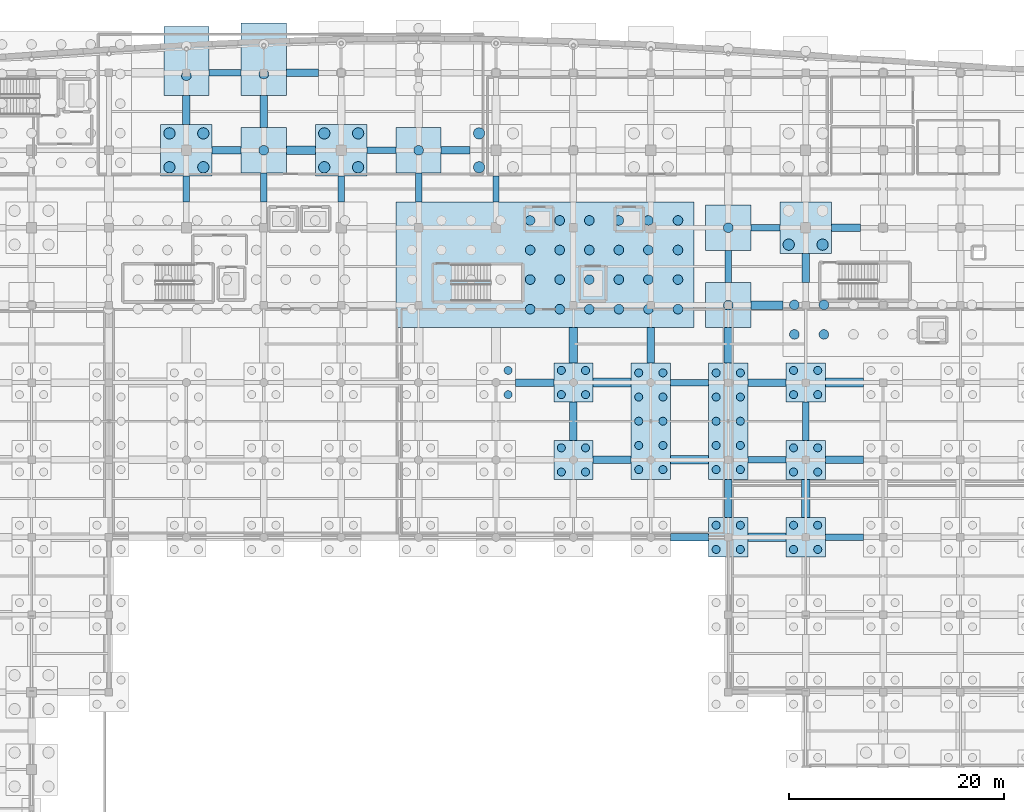
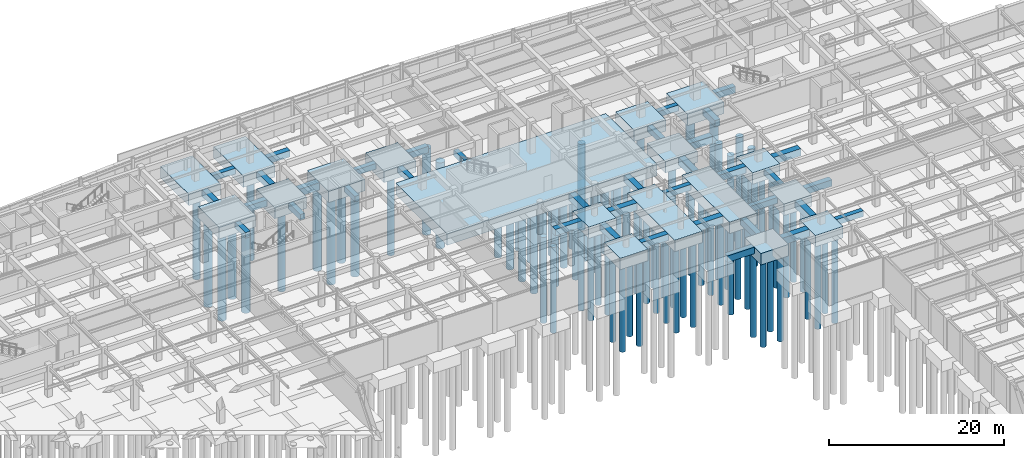
# One storey, part 7 of 48: 92 piles, 55 footings.
"""IFC4 building model written with IfcOpenShell, lengths in metres."""

from ifc_helpers import new_model, si_unit, direction, frame, origin, origin_2d, place, context, subcontext, project, spatial, rectangle, circle, extrude, material, material_profile, profile_set, type_object, element, save


model = new_model("IFC4")

# Units and contexts
model_context = context("Model", 3, precision=1e-05, world=origin(), true_north=direction((0.0, 1.0)))
body_context = subcontext(model_context, "Body", "Model", "MODEL_VIEW")
ifc_project = project(units=[si_unit("LENGTHUNIT", "METRE"), si_unit("AREAUNIT", "SQUARE_METRE"), si_unit("VOLUMEUNIT", "CUBIC_METRE"), si_unit("PLANEANGLEUNIT", "RADIAN"), si_unit("MASSUNIT", "GRAM", prefix="KILO")], contexts=[model_context])

# Site, building, storey
site_placement = place(None, origin())
site = spatial("IfcSite", under=ifc_project, at=site_placement, CompositionType="ELEMENT")
building_placement = place(site_placement, origin())
building = spatial("IfcBuilding", under=site, at=building_placement, Name="Carrowvane Square Congress Hotel", CompositionType="ELEMENT")
storey_placement = place(building_placement, frame((0.0, 0.0, -4.5)))
storey = spatial("IfcBuildingStorey", under=building, at=storey_placement, Name="B01", CompositionType="ELEMENT", Elevation=-4.5)

# Footings
ifc_material_1 = material(Name="Concrete C35/45", Category="concrete")
ifc_material_profile_1 = material_profile(ifc_material_1, rectangle(XDim=0.60009765625, YDim=0.800048828125, at=origin_2d()), Name="RC 600x800")
ifc_profile_set_1 = profile_set([ifc_material_profile_1], Name="Concrete C35/45")
footing_type_1 = type_object("IfcFootingType", Name="FTG-BM-600x800", PredefinedType="FOOTING_BEAM", material=ifc_profile_set_1)
footing_1_placement = place(storey_placement, frame((76.39990234375, 101.39990234375, -0.39990234375), z_axis=(0.0, 1.0, 0.0), x_axis=(-1.0, 0.0, 0.0)))
element("IfcFooting", 1, at=footing_1_placement, inside=storey, type_object=footing_type_1, Name="Ground tie beam 109", PredefinedType="FOOTING_BEAM", context=body_context, shape_type="SweptSolid", body=[
    extrude(rectangle(XDim=0.60009765625, YDim=0.800048828125, at=origin_2d()), origin(), (0.0, 0.0, 1.0), 2.400146484375),
])
footing_2_placement = place(storey_placement, frame((83.60009765625, 101.39990234375, -0.39990234375), z_axis=(0.0, 1.0, 0.0), x_axis=(-1.0, 0.0, 0.0)))
element("IfcFooting", 2, at=footing_2_placement, inside=storey, type_object=footing_type_1, Name="Ground tie beam 114", PredefinedType="FOOTING_BEAM", context=body_context, shape_type="SweptSolid", body=[
    extrude(rectangle(XDim=0.60009765625, YDim=0.800048828125, at=origin_2d()), origin(), (0.0, 0.0, 1.0), 2.7001953125),
])
footing_3_placement = place(storey_placement, frame((90.800048828125, 101.39990234375, -0.39990234375), z_axis=(0.0, 1.0, 0.0), x_axis=(-1.0, 0.0, 0.0)))
element("IfcFooting", 3, at=footing_3_placement, inside=storey, type_object=footing_type_1, Name="Ground tie beam 119", PredefinedType="FOOTING_BEAM", context=body_context, shape_type="SweptSolid", body=[
    extrude(rectangle(XDim=0.60009765625, YDim=0.800048828125, at=origin_2d()), origin(), (0.0, 0.0, 1.0), 2.400146484375),
])
footing_4_placement = place(storey_placement, frame((98.0, 101.39990234375, -0.39990234375), z_axis=(0.0, 1.0, 0.0), x_axis=(-1.0, 0.0, 0.0)))
element("IfcFooting", 4, at=footing_4_placement, inside=storey, type_object=footing_type_1, Name="Ground tie beam 124", PredefinedType="FOOTING_BEAM", context=body_context, shape_type="SweptSolid", body=[
    extrude(rectangle(XDim=0.60009765625, YDim=0.800048828125, at=origin_2d()), origin(), (0.0, 0.0, 1.0), 2.7001953125),
])
footing_5_placement = place(storey_placement, frame((105.199951171875, 101.39990234375, -0.39990234375), z_axis=(0.0, 1.0, 0.0), x_axis=(-1.0, 0.0, 0.0)))
element("IfcFooting", 5, at=footing_5_placement, inside=storey, type_object=footing_type_1, Name="Ground tie beam 129", PredefinedType="FOOTING_BEAM", context=body_context, shape_type="SweptSolid", body=[
    extrude(rectangle(XDim=0.60009765625, YDim=0.800048828125, at=origin_2d()), origin(), (0.0, 0.0, 1.0), 2.400146484375),
])
footing_6_placement = place(storey_placement, frame((126.800048828125, 93.89990234375, -0.39990234375), z_axis=(0.0, 1.0, 0.0), x_axis=(-1.0, 0.0, 0.0)))
element("IfcFooting", 6, at=footing_6_placement, inside=storey, type_object=footing_type_1, Name="Ground tie beam 144", PredefinedType="FOOTING_BEAM", context=body_context, shape_type="SweptSolid", body=[
    extrude(rectangle(XDim=0.60009765625, YDim=0.800048828125, at=origin_2d()), origin(), (0.0, 0.0, 1.0), 3.0),
])
footing_7_placement = place(storey_placement, frame((134.0, 79.22509765625, -0.39990234375), z_axis=(0.0, 1.0, 0.0), x_axis=(-1.0, 0.0, 0.0)))
element("IfcFooting", 7, at=footing_7_placement, inside=storey, type_object=footing_type_1, Name="Ground tie beam 152", PredefinedType="FOOTING_BEAM", context=body_context, shape_type="SweptSolid", body=[
    extrude(rectangle(XDim=0.60009765625, YDim=0.800048828125, at=origin_2d()), origin(), (0.0, 0.0, 1.0), 3.5498046875),
])
for number, where, z_axis, x_axis, name in (
    (8, (135.824951171875, 70.199951171875, -0.39990234375), (1.0, 0.0, 0.0), (0.0, 1.0, 0.0), "Ground tie beam 385"),
    (9, (128.625, 77.39990234375, -0.39990234375), (1.0, 0.0, 0.0), (0.0, 1.0, 0.0), "Ground tie beam 408"),
    (10, (121.425048828125, 84.60009765625, -0.39990234375), (1.0, 0.0, 0.0), (0.0, 1.0, 0.0), "Ground tie beam 431"),
):
    element("IfcFooting", number, at=place(storey_placement, frame(where, z_axis=z_axis, x_axis=x_axis)), inside=storey, type_object=footing_type_1, Name=name, PredefinedType="FOOTING_BEAM", context=body_context, shape_type="SweptSolid", body=[
        extrude(rectangle(XDim=0.60009765625, YDim=0.800048828125, at=origin_2d()), origin(), (0.0, 0.0, 1.0), 3.550048828125),
    ])
footing_8_placement = place(storey_placement, frame((128.89990234375, 99.0, -0.39990234375), z_axis=(1.0, 0.0, 0.0), x_axis=(0.0, 1.0, 0.0)))
element("IfcFooting", 11, at=footing_8_placement, inside=storey, type_object=footing_type_1, Name="Ground tie beam 459", PredefinedType="FOOTING_BEAM", context=body_context, shape_type="SweptSolid", body=[
    extrude(rectangle(XDim=0.60009765625, YDim=0.800048828125, at=origin_2d()), origin(), (0.0, 0.0, 1.0), 2.7001953125),
])
footing_9_placement = place(storey_placement, frame((93.199951171875, 106.199951171875, -0.39990234375), z_axis=(1.0, 0.0, 0.0), x_axis=(0.0, 1.0, 0.0)))
element("IfcFooting", 12, at=footing_9_placement, inside=storey, type_object=footing_type_1, Name="Ground tie beam 470", PredefinedType="FOOTING_BEAM", context=body_context, shape_type="SweptSolid", body=[
    extrude(rectangle(XDim=0.60009765625, YDim=0.800048828125, at=origin_2d()), origin(), (0.0, 0.0, 1.0), 2.699951171875),
])
footing_10_placement = place(storey_placement, frame((78.5, 113.39990234375, -0.39990234375), z_axis=(1.0, 0.0, 0.0), x_axis=(0.0, 1.0, 0.0)))
element("IfcFooting", 13, at=footing_10_placement, inside=storey, type_object=footing_type_1, Name="Ground tie beam 484", PredefinedType="FOOTING_BEAM", context=body_context, shape_type="SweptSolid", body=[
    extrude(rectangle(XDim=0.60009765625, YDim=0.800048828125, at=origin_2d()), origin(), (0.0, 0.0, 1.0), 3.0),
])
ifc_material_2 = material(Name="Concrete C35/45", Category="concrete")
ifc_material_profile_2 = material_profile(ifc_material_2, rectangle(XDim=0.699951171875, YDim=0.89990234375, at=origin_2d()), Name="RC 700x900")
ifc_profile_set_2 = profile_set([ifc_material_profile_2], Name="Concrete C35/45")
footing_type_2 = type_object("IfcFootingType", Name="FTG-BM-700x900", PredefinedType="FOOTING_BEAM", material=ifc_profile_set_2)
footing_11_placement = place(storey_placement, frame((76.39990234375, 108.60009765625, -0.449951171875), z_axis=(0.0, 1.0, 0.0), x_axis=(-1.0, 0.0, 0.0)))
element("IfcFooting", 14, at=footing_11_placement, inside=storey, type_object=footing_type_2, Name="Ground tie beam 110", PredefinedType="FOOTING_BEAM", context=body_context, shape_type="SweptSolid", body=[
    extrude(rectangle(XDim=0.699951171875, YDim=0.89990234375, at=origin_2d()), origin(), (0.0, 0.0, 1.0), 2.699951171875),
])
footing_12_placement = place(storey_placement, frame((83.60009765625, 108.300048828125, -0.449951171875), z_axis=(0.0, 1.0, 0.0), x_axis=(-1.0, 0.0, 0.0)))
element("IfcFooting", 15, at=footing_12_placement, inside=storey, type_object=footing_type_2, Name="Ground tie beam 115", PredefinedType="FOOTING_BEAM", context=body_context, shape_type="SweptSolid", body=[
    extrude(rectangle(XDim=0.699951171875, YDim=0.89990234375, at=origin_2d()), origin(), (0.0, 0.0, 1.0), 3.0),
])
footing_13_placement = place(storey_placement, frame((112.39990234375, 79.22509765625, -0.449951171875), z_axis=(0.0, 1.0, 0.0), x_axis=(-1.0, 0.0, 0.0)))
element("IfcFooting", 16, at=footing_13_placement, inside=storey, type_object=footing_type_2, Name="Ground tie beam 132", PredefinedType="FOOTING_BEAM", context=body_context, shape_type="SweptSolid", body=[
    extrude(rectangle(XDim=0.699951171875, YDim=0.89990234375, at=origin_2d()), origin(), (0.0, 0.0, 1.0), 3.5498046875),
])
footing_14_placement = place(storey_placement, frame((119.60009765625, 86.425048828125, -0.449951171875), z_axis=(0.0, 1.0, 0.0), x_axis=(-1.0, 0.0, 0.0)))
element("IfcFooting", 17, at=footing_14_placement, inside=storey, type_object=footing_type_2, Name="Ground tie beam 137", PredefinedType="FOOTING_BEAM", context=body_context, shape_type="SweptSolid", body=[
    extrude(rectangle(XDim=0.699951171875, YDim=0.89990234375, at=origin_2d()), origin(), (0.0, 0.0, 1.0), 3.27490234375),
])
footing_15_placement = place(storey_placement, frame((126.800048828125, 72.02490234375, -0.449951171875), z_axis=(0.0, 1.0, 0.0), x_axis=(-1.0, 0.0, 0.0)))
element("IfcFooting", 18, at=footing_15_placement, inside=storey, type_object=footing_type_2, Name="Ground tie beam 142", PredefinedType="FOOTING_BEAM", context=body_context, shape_type="SweptSolid", body=[
    extrude(rectangle(XDim=0.699951171875, YDim=0.89990234375, at=origin_2d()), origin(), (0.0, 0.0, 1.0), 3.550048828125),
])
footing_16_placement = place(storey_placement, frame((134.0, 93.89990234375, -0.449951171875), z_axis=(0.0, 1.0, 0.0), x_axis=(-1.0, 0.0, 0.0)))
element("IfcFooting", 19, at=footing_16_placement, inside=storey, type_object=footing_type_2, Name="Ground tie beam 153", PredefinedType="FOOTING_BEAM", context=body_context, shape_type="SweptSolid", body=[
    extrude(rectangle(XDim=0.699951171875, YDim=0.89990234375, at=origin_2d()), origin(), (0.0, 0.0, 1.0), 2.7001953125),
])
footing_17_placement = place(storey_placement, frame((121.425048828125, 70.199951171875, -0.449951171875), z_axis=(1.0, 0.0, 0.0), x_axis=(0.0, 1.0, 0.0)))
element("IfcFooting", 20, at=footing_17_placement, inside=storey, type_object=footing_type_2, Name="Ground tie beam 383", PredefinedType="FOOTING_BEAM", context=body_context, shape_type="SweptSolid", body=[
    extrude(rectangle(XDim=0.699951171875, YDim=0.89990234375, at=origin_2d()), origin(), (0.0, 0.0, 1.0), 3.550048828125),
])
footing_18_placement = place(storey_placement, frame((114.22509765625, 77.39990234375, -0.449951171875), z_axis=(1.0, 0.0, 0.0), x_axis=(0.0, 1.0, 0.0)))
element("IfcFooting", 21, at=footing_18_placement, inside=storey, type_object=footing_type_2, Name="Ground tie beam 406", PredefinedType="FOOTING_BEAM", context=body_context, shape_type="SweptSolid", body=[
    extrude(rectangle(XDim=0.699951171875, YDim=0.89990234375, at=origin_2d()), origin(), (0.0, 0.0, 1.0), 3.5498046875),
])
for number, where, z_axis, x_axis, name in (
    (22, (135.824951171875, 77.39990234375, -0.449951171875), (1.0, 0.0, 0.0), (0.0, 1.0, 0.0), "Ground tie beam 409"),
    (23, (107.02490234375, 84.60009765625, -0.449951171875), (1.0, 0.0, 0.0), (0.0, 1.0, 0.0), "Ground tie beam 429"),
    (24, (128.625, 84.60009765625, -0.449951171875), (1.0, 0.0, 0.0), (0.0, 1.0, 0.0), "Ground tie beam 432"),
):
    element("IfcFooting", number, at=place(storey_placement, frame(where, z_axis=z_axis, x_axis=x_axis)), inside=storey, type_object=footing_type_2, Name=name, PredefinedType="FOOTING_BEAM", context=body_context, shape_type="SweptSolid", body=[
        extrude(rectangle(XDim=0.699951171875, YDim=0.89990234375, at=origin_2d()), origin(), (0.0, 0.0, 1.0), 3.550048828125),
    ])
footing_19_placement = place(storey_placement, frame((136.39990234375, 99.0, -0.449951171875), z_axis=(1.0, 0.0, 0.0), x_axis=(0.0, 1.0, 0.0)))
element("IfcFooting", 25, at=footing_19_placement, inside=storey, type_object=footing_type_2, Name="Ground tie beam 460", PredefinedType="FOOTING_BEAM", context=body_context, shape_type="SweptSolid", body=[
    extrude(rectangle(XDim=0.699951171875, YDim=0.89990234375, at=origin_2d()), origin(), (0.0, 0.0, 1.0), 2.7001953125),
])
for number, where, z_axis, x_axis, name in (
    (26, (78.800048828125, 106.199951171875, -0.449951171875), (1.0, 0.0, 0.0), (0.0, 1.0, 0.0), "Ground tie beam 468"),
    (27, (100.10009765625, 106.199951171875, -0.449951171875), (1.0, 0.0, 0.0), (0.0, 1.0, 0.0), "Ground tie beam 471"),
):
    element("IfcFooting", number, at=place(storey_placement, frame(where, z_axis=z_axis, x_axis=x_axis)), inside=storey, type_object=footing_type_2, Name=name, PredefinedType="FOOTING_BEAM", context=body_context, shape_type="SweptSolid", body=[
        extrude(rectangle(XDim=0.699951171875, YDim=0.89990234375, at=origin_2d()), origin(), (0.0, 0.0, 1.0), 2.699951171875),
    ])
footing_20_placement = place(storey_placement, frame((85.699951171875, 113.39990234375, -0.449951171875), z_axis=(1.0, 0.0, 0.0), x_axis=(0.0, 1.0, 0.0)))
element("IfcFooting", 28, at=footing_20_placement, inside=storey, type_object=footing_type_2, Name="Ground tie beam 485", PredefinedType="FOOTING_BEAM", context=body_context, shape_type="SweptSolid", body=[
    extrude(rectangle(XDim=0.699951171875, YDim=0.89990234375, at=origin_2d()), origin(), (0.0, 0.0, 1.0), 3.0),
])
ifc_material_3 = material(Name="Concrete C35/45", Category="concrete")
ifc_material_profile_3 = material_profile(ifc_material_3, rectangle(XDim=0.800048828125, YDim=1.0, at=origin_2d()), Name="RC 800x1000")
ifc_profile_set_3 = profile_set([ifc_material_profile_3], Name="Concrete C35/45")
footing_type_3 = type_object("IfcFootingType", Name="FTG-BM-800x1000", PredefinedType="FOOTING_BEAM", material=ifc_profile_set_3)
for number, where, z_axis, x_axis, name in (
    (29, (112.39990234375, 86.425048828125, -0.5), (0.0, 1.0, 0.0), (-1.0, 0.0, 0.0), "Ground tie beam 133"),
    (30, (126.800048828125, 86.425048828125, -0.5), (0.0, 1.0, 0.0), (-1.0, 0.0, 0.0), "Ground tie beam 143"),
):
    element("IfcFooting", number, at=place(storey_placement, frame(where, z_axis=z_axis, x_axis=x_axis)), inside=storey, type_object=footing_type_3, Name=name, PredefinedType="FOOTING_BEAM", context=body_context, shape_type="SweptSolid", body=[
        extrude(rectangle(XDim=0.800048828125, YDim=1.0, at=origin_2d()), origin(), (0.0, 0.0, 1.0), 3.27490234375),
    ])
for number, where, z_axis, x_axis, name in (
    (31, (134.0, 72.02490234375, -0.5), (0.0, 1.0, 0.0), (-1.0, 0.0, 0.0), "Ground tie beam 151"),
    (32, (128.625, 70.199951171875, -0.5), (1.0, 0.0, 0.0), (0.0, 1.0, 0.0), "Ground tie beam 384"),
    (33, (121.425048828125, 77.39990234375, -0.5), (1.0, 0.0, 0.0), (0.0, 1.0, 0.0), "Ground tie beam 407"),
):
    element("IfcFooting", number, at=place(storey_placement, frame(where, z_axis=z_axis, x_axis=x_axis)), inside=storey, type_object=footing_type_3, Name=name, PredefinedType="FOOTING_BEAM", context=body_context, shape_type="SweptSolid", body=[
        extrude(rectangle(XDim=0.800048828125, YDim=1.0, at=origin_2d()), origin(), (0.0, 0.0, 1.0), 3.550048828125),
    ])
footing_21_placement = place(storey_placement, frame((114.22509765625, 84.60009765625, -0.5), z_axis=(1.0, 0.0, 0.0), x_axis=(0.0, 1.0, 0.0)))
element("IfcFooting", 34, at=footing_21_placement, inside=storey, type_object=footing_type_3, Name="Ground tie beam 430", PredefinedType="FOOTING_BEAM", context=body_context, shape_type="SweptSolid", body=[
    extrude(rectangle(XDim=0.800048828125, YDim=1.0, at=origin_2d()), origin(), (0.0, 0.0, 1.0), 3.5498046875),
])
footing_22_placement = place(storey_placement, frame((135.824951171875, 84.60009765625, -0.5), z_axis=(1.0, 0.0, 0.0), x_axis=(0.0, 1.0, 0.0)))
element("IfcFooting", 35, at=footing_22_placement, inside=storey, type_object=footing_type_3, Name="Ground tie beam 433", PredefinedType="FOOTING_BEAM", context=body_context, shape_type="SweptSolid", body=[
    extrude(rectangle(XDim=0.800048828125, YDim=1.0, at=origin_2d()), origin(), (0.0, 0.0, 1.0), 3.550048828125),
])
footing_23_placement = place(storey_placement, frame((128.89990234375, 91.800048828125, -0.5), z_axis=(1.0, 0.0, 0.0), x_axis=(0.0, 1.0, 0.0)))
element("IfcFooting", 36, at=footing_23_placement, inside=storey, type_object=footing_type_3, Name="Ground tie beam 447", PredefinedType="FOOTING_BEAM", context=body_context, shape_type="SweptSolid", body=[
    extrude(rectangle(XDim=0.800048828125, YDim=1.0, at=origin_2d()), origin(), (0.0, 0.0, 1.0), 3.0),
])
footing_24_placement = place(storey_placement, frame((85.699951171875, 106.199951171875, -0.5), z_axis=(1.0, 0.0, 0.0), x_axis=(0.0, 1.0, 0.0)))
element("IfcFooting", 37, at=footing_24_placement, inside=storey, type_object=footing_type_3, Name="Ground tie beam 469", PredefinedType="FOOTING_BEAM", context=body_context, shape_type="SweptSolid", body=[
    extrude(rectangle(XDim=0.800048828125, YDim=1.0, at=origin_2d()), origin(), (0.0, 0.0, 1.0), 2.699951171875),
])
ifc_material_4 = material(Name="Concrete C35/45", Category="concrete")
footing_type_4 = type_object("IfcFootingType", Name="FTG-PC-01", PredefinedType="PILE_CAP", material=ifc_material_4)
for number, where, z_axis, x_axis, name in (
    (38, (134.0, 99.0, -1.60009765625), (0.0, 0.0, 1.0), (1.0, 0.0, 0.0), "B01 PC-1 231"),
    (39, (76.39990234375, 106.199951171875, -1.60009765625), (0.0, 0.0, 1.0), (1.0, 0.0, 0.0), "B01 PC-1 242"),
    (40, (90.800048828125, 106.199951171875, -1.60009765625), (0.0, 0.0, 1.0), (1.0, 0.0, 0.0), "B01 PC-1 243"),
):
    element("IfcFooting", number, at=place(storey_placement, frame(where, z_axis=z_axis, x_axis=x_axis)), inside=storey, type_object=footing_type_4, Name=name, PredefinedType="PILE_CAP", context=body_context, shape_type="SweptSolid", body=[
        extrude(rectangle(XDim=4.800048828125, YDim=4.800048828125, at=origin_2d()), origin(), (0.0, 0.0, 1.0), 1.60009765625),
    ])
ifc_material_5 = material(Name="Concrete C35/45", Category="concrete")
footing_type_5 = type_object("IfcFootingType", Name="FTG-PC-02", PredefinedType="PILE_CAP", material=ifc_material_5)
for number, where, z_axis, x_axis, name in (
    (41, (126.800048828125, 70.199951171875, -1.60009765625), (0.0, 0.0, 1.0), (1.0, 0.0, 0.0), "B01 PC-2 160"),
    (42, (134.0, 70.199951171875, -1.60009765625), (0.0, 0.0, 1.0), (1.0, 0.0, 0.0), "B01 PC-2 161"),
    (43, (112.39990234375, 77.39990234375, -1.60009765625), (0.0, 0.0, 1.0), (1.0, 0.0, 0.0), "B01 PC-2 183"),
    (44, (134.0, 77.39990234375, -1.60009765625), (0.0, 0.0, 1.0), (1.0, 0.0, 0.0), "B01 PC-2 186"),
    (45, (112.39990234375, 84.60009765625, -1.60009765625), (0.0, 0.0, 1.0), (1.0, 0.0, 0.0), "B01 PC-2 206"),
    (46, (134.0, 84.60009765625, -1.60009765625), (0.0, 0.0, 1.0), (1.0, 0.0, 0.0), "B01 PC-2 207"),
):
    element("IfcFooting", number, at=place(storey_placement, frame(where, z_axis=z_axis, x_axis=x_axis)), inside=storey, type_object=footing_type_5, Name=name, PredefinedType="PILE_CAP", context=body_context, shape_type="SweptSolid", body=[
        extrude(rectangle(XDim=3.64990234375, YDim=3.64990234375, at=origin_2d()), origin(), (0.0, 0.0, 1.0), 1.60009765625),
    ])
ifc_material_6 = material(Name="Concrete C35/45", Category="concrete")
footing_type_6 = type_object("IfcFootingType", Name="FTG-PC-03", PredefinedType="PILE_CAP", material=ifc_material_6)
for number, where, z_axis, x_axis, name in (
    (47, (119.60009765625, 81.0, -1.60009765625), (0.0, 0.0, 1.0), (1.0, 0.0, 0.0), "B01 PC-3 184"),
    (48, (126.800048828125, 81.0, -1.60009765625), (0.0, 0.0, 1.0), (1.0, 0.0, 0.0), "B01 PC-3 185"),
):
    element("IfcFooting", number, at=place(storey_placement, frame(where, z_axis=z_axis, x_axis=x_axis)), inside=storey, type_object=footing_type_6, Name=name, PredefinedType="PILE_CAP", context=body_context, shape_type="SweptSolid", body=[
        extrude(rectangle(XDim=3.64990234375, YDim=10.85009765625, at=origin_2d()), origin(), (0.0, 0.0, 1.0), 1.60009765625),
    ])
ifc_material_7 = material(Name="Concrete C35/45", Category="concrete")
footing_type_7 = type_object("IfcFootingType", Name="FTG-PC-04", PredefinedType="PILE_CAP", material=ifc_material_7)
for number, where, z_axis, x_axis, name in (
    (49, (126.800048828125, 91.800048828125, -1.60009765625), (0.0, 0.0, 1.0), (1.0, 0.0, 0.0), "B01 PC-4 221"),
    (50, (126.800048828125, 99.0, -1.60009765625), (0.0, 0.0, 1.0), (1.0, 0.0, 0.0), "B01 PC-4 236"),
    (51, (83.60009765625, 106.199951171875, -1.60009765625), (0.0, 0.0, 1.0), (1.0, 0.0, 0.0), "B01 PC-4 250"),
    (52, (98.0, 106.199951171875, -1.60009765625), (0.0, 0.0, 1.0), (1.0, 0.0, 0.0), "B01 PC-4 251"),
):
    element("IfcFooting", number, at=place(storey_placement, frame(where, z_axis=z_axis, x_axis=x_axis)), inside=storey, type_object=footing_type_7, Name=name, PredefinedType="PILE_CAP", context=body_context, shape_type="SweptSolid", body=[
        extrude(rectangle(XDim=4.199951171875, YDim=4.199951171875, at=origin_2d()), origin(), (0.0, 0.0, 1.0), 1.60009765625),
    ])
ifc_material_8 = material(Name="Concrete C35/45", Category="concrete")
footing_type_8 = type_object("IfcFootingType", Name="FTG-PC-05", PredefinedType="PILE_CAP", material=ifc_material_8)
footing_25_placement = place(storey_placement, frame((76.39990234375, 114.5087890625, -1.60009765625), z_axis=(0.0, 0.0, 1.0), x_axis=(1.0, 0.0, 0.0)))
element("IfcFooting", 53, at=footing_25_placement, inside=storey, type_object=footing_type_8, Name="B01 PC-5 261", PredefinedType="PILE_CAP", context=body_context, shape_type="SweptSolid", body=[
    extrude(rectangle(XDim=4.199951171875, YDim=6.41796875, at=origin_2d()), origin(), (0.0, 0.0, 1.0), 1.60009765625),
])
ifc_material_9 = material(Name="Concrete C35/45", Category="concrete")
footing_type_9 = type_object("IfcFootingType", Name="FTG-PC-06", PredefinedType="PILE_CAP", material=ifc_material_9)
footing_26_placement = place(storey_placement, frame((83.60009765625, 114.672119140625, -1.60009765625), z_axis=(0.0, 0.0, 1.0), x_axis=(1.0, 0.0, 0.0)))
element("IfcFooting", 54, at=footing_26_placement, inside=storey, type_object=footing_type_9, Name="B01 PC-6 262", PredefinedType="PILE_CAP", context=body_context, shape_type="SweptSolid", body=[
    extrude(rectangle(XDim=4.199951171875, YDim=6.743896484375, at=origin_2d()), origin(), (0.0, 0.0, 1.0), 1.60009765625),
])
ifc_material_10 = material(Name="Concrete C35/45", Category="concrete")
footing_type_10 = type_object("IfcFootingType", Name="FTG-RAFT-04", PredefinedType="PILE_CAP", material=ifc_material_10)
footing_27_placement = place(storey_placement, frame((109.75, 95.550048828125, -1.60009765625), z_axis=(0.0, 0.0, 1.0), x_axis=(1.0, 0.0, 0.0)))
element("IfcFooting", 55, at=footing_27_placement, inside=storey, type_object=footing_type_10, Name="B01 RF-4 220", PredefinedType="PILE_CAP", context=body_context, shape_type="SweptSolid", body=[
    extrude(rectangle(XDim=27.699951171875, YDim=11.699951171875, at=origin_2d()), origin(), (0.0, 0.0, 1.0), 1.60009765625),
])

# Piles
ifc_material_11 = material(Name="Concrete C35/45", Category="concrete")
ifc_material_profile_4 = material_profile(ifc_material_11, circle(Radius=0.52490234375, at=origin_2d()), Name="PILE D1050")
ifc_profile_set_4 = profile_set([ifc_material_profile_4], Name="Concrete C35/45")
pile_type_1 = type_object("IfcPileType", Name="PILE-B-1050", PredefinedType="BORED", material=ifc_profile_set_4)
for number, where, z_axis, x_axis, name in (
    (56, (132.425048828125, 97.425048828125, -1.5), (0.0, 0.0, -1.0), (1.0, 0.0, 0.0), "Bored pile P-3-1054"),
    (57, (135.574951171875, 97.425048828125, -1.5), (0.0, 0.0, -1.0), (1.0, 0.0, 0.0), "Bored pile P-3-1056"),
    (58, (74.824951171875, 104.625, -1.5), (0.0, 0.0, -1.0), (1.0, 0.0, 0.0), "Bored pile P-3-1102"),
    (59, (74.824951171875, 107.77490234375, -1.5), (0.0, 0.0, -1.0), (1.0, 0.0, 0.0), "Bored pile P-3-1103"),
    (60, (77.97509765625, 104.625, -1.5), (0.0, 0.0, -1.0), (1.0, 0.0, 0.0), "Bored pile P-3-1104"),
    (61, (77.97509765625, 107.77490234375, -1.5), (0.0, 0.0, -1.0), (1.0, 0.0, 0.0), "Bored pile P-3-1105"),
    (62, (89.22509765625, 104.625, -1.5), (0.0, 0.0, -1.0), (1.0, 0.0, 0.0), "Bored pile P-3-1106"),
    (63, (89.22509765625, 107.77490234375, -1.5), (0.0, 0.0, -1.0), (1.0, 0.0, 0.0), "Bored pile P-3-1107"),
    (64, (92.375, 104.625, -1.5), (0.0, 0.0, -1.0), (1.0, 0.0, 0.0), "Bored pile P-3-1108"),
    (65, (92.375, 107.77490234375, -1.5), (0.0, 0.0, -1.0), (1.0, 0.0, 0.0), "Bored pile P-3-1109"),
    (66, (103.625, 104.625, -1.5), (0.0, 0.0, -1.0), (1.0, 0.0, 0.0), "Bored pile P-3-1110"),
    (67, (103.625, 107.77490234375, -1.5), (0.0, 0.0, -1.0), (1.0, 0.0, 0.0), "Bored pile P-3-1111"),
):
    element("IfcPile", number, at=place(storey_placement, frame(where, z_axis=z_axis, x_axis=x_axis)), inside=storey, type_object=pile_type_1, Name=name, PredefinedType="BORED", context=body_context, shape_type="SweptSolid", body=[
        extrude(circle(Radius=0.52490234375, at=origin_2d()), origin(), (0.0, 0.0, 1.0), 12.0),
    ])
ifc_material_12 = material(Name="Concrete C35/45", Category="concrete")
ifc_material_profile_5 = material_profile(ifc_material_12, circle(Radius=0.375, at=origin_2d()), Name="PILE D750")
ifc_profile_set_5 = profile_set([ifc_material_profile_5], Name="Concrete C35/45")
pile_type_2 = type_object("IfcPileType", Name="PILE-B-750", PredefinedType="BORED", material=ifc_profile_set_5)
for number, where, z_axis, x_axis, name in (
    (68, (125.675048828125, 69.074951171875, -1.5), (0.0, 0.0, -1.0), (1.0, 0.0, 0.0), "Bored pile P-1-0673"),
    (69, (125.675048828125, 71.324951171875, -1.5), (0.0, 0.0, -1.0), (1.0, 0.0, 0.0), "Bored pile P-1-0674"),
    (70, (127.925048828125, 69.074951171875, -1.5), (0.0, 0.0, -1.0), (1.0, 0.0, 0.0), "Bored pile P-1-0675"),
    (71, (127.925048828125, 71.324951171875, -1.5), (0.0, 0.0, -1.0), (1.0, 0.0, 0.0), "Bored pile P-1-0676"),
    (72, (132.875, 69.074951171875, -1.5), (0.0, 0.0, -1.0), (1.0, 0.0, 0.0), "Bored pile P-1-0677"),
    (73, (132.875, 71.324951171875, -1.5), (0.0, 0.0, -1.0), (1.0, 0.0, 0.0), "Bored pile P-1-0678"),
    (74, (135.125, 69.074951171875, -1.5), (0.0, 0.0, -1.0), (1.0, 0.0, 0.0), "Bored pile P-1-0679"),
    (75, (135.125, 71.324951171875, -1.5), (0.0, 0.0, -1.0), (1.0, 0.0, 0.0), "Bored pile P-1-0680"),
    (76, (111.27490234375, 76.27490234375, -1.5), (0.0, 0.0, -1.0), (1.0, 0.0, 0.0), "Bored pile P-1-0777"),
    (77, (111.27490234375, 78.52490234375, -1.5), (0.0, 0.0, -1.0), (1.0, 0.0, 0.0), "Bored pile P-1-0778"),
    (78, (113.52490234375, 76.27490234375, -1.5), (0.0, 0.0, -1.0), (1.0, 0.0, 0.0), "Bored pile P-1-0779"),
    (79, (113.52490234375, 78.52490234375, -1.5), (0.0, 0.0, -1.0), (1.0, 0.0, 0.0), "Bored pile P-1-0780"),
    (80, (118.47509765625, 76.5, -1.5), (0.0, 0.0, -1.0), (1.0, 0.0, 0.0), "Bored pile P-1-0781"),
    (81, (118.47509765625, 78.75, -1.5), (0.0, 0.0, -1.0), (1.0, 0.0, 0.0), "Bored pile P-1-0782"),
    (82, (118.47509765625, 81.0, -1.5), (0.0, 0.0, -1.0), (1.0, 0.0, 0.0), "Bored pile P-1-0783"),
    (83, (118.47509765625, 83.25, -1.5), (0.0, 0.0, -1.0), (1.0, 0.0, 0.0), "Bored pile P-1-0784"),
    (84, (118.47509765625, 85.5, -1.5), (0.0, 0.0, -1.0), (1.0, 0.0, 0.0), "Bored pile P-1-0785"),
    (85, (120.72509765625, 76.5, -1.5), (0.0, 0.0, -1.0), (1.0, 0.0, 0.0), "Bored pile P-1-0786"),
    (86, (120.72509765625, 78.75, -1.5), (0.0, 0.0, -1.0), (1.0, 0.0, 0.0), "Bored pile P-1-0787"),
    (87, (120.72509765625, 81.0, -1.5), (0.0, 0.0, -1.0), (1.0, 0.0, 0.0), "Bored pile P-1-0788"),
    (88, (120.72509765625, 83.25, -1.5), (0.0, 0.0, -1.0), (1.0, 0.0, 0.0), "Bored pile P-1-0789"),
    (89, (120.72509765625, 85.5, -1.5), (0.0, 0.0, -1.0), (1.0, 0.0, 0.0), "Bored pile P-1-0790"),
    (90, (125.675048828125, 76.5, -1.5), (0.0, 0.0, -1.0), (1.0, 0.0, 0.0), "Bored pile P-1-0791"),
    (91, (125.675048828125, 78.75, -1.5), (0.0, 0.0, -1.0), (1.0, 0.0, 0.0), "Bored pile P-1-0792"),
    (92, (125.675048828125, 81.0, -1.5), (0.0, 0.0, -1.0), (1.0, 0.0, 0.0), "Bored pile P-1-0793"),
    (93, (125.675048828125, 83.25, -1.5), (0.0, 0.0, -1.0), (1.0, 0.0, 0.0), "Bored pile P-1-0794"),
    (94, (125.675048828125, 85.5, -1.5), (0.0, 0.0, -1.0), (1.0, 0.0, 0.0), "Bored pile P-1-0795"),
    (95, (127.925048828125, 76.5, -1.5), (0.0, 0.0, -1.0), (1.0, 0.0, 0.0), "Bored pile P-1-0796"),
    (96, (127.925048828125, 78.75, -1.5), (0.0, 0.0, -1.0), (1.0, 0.0, 0.0), "Bored pile P-1-0797"),
    (97, (127.925048828125, 81.0, -1.5), (0.0, 0.0, -1.0), (1.0, 0.0, 0.0), "Bored pile P-1-0798"),
    (98, (127.925048828125, 83.25, -1.5), (0.0, 0.0, -1.0), (1.0, 0.0, 0.0), "Bored pile P-1-0799"),
    (99, (127.925048828125, 85.5, -1.5), (0.0, 0.0, -1.0), (1.0, 0.0, 0.0), "Bored pile P-1-0800"),
    (100, (132.875, 76.27490234375, -1.5), (0.0, 0.0, -1.0), (1.0, 0.0, 0.0), "Bored pile P-1-0801"),
    (101, (132.875, 78.52490234375, -1.5), (0.0, 0.0, -1.0), (1.0, 0.0, 0.0), "Bored pile P-1-0802"),
    (102, (135.125, 76.27490234375, -1.5), (0.0, 0.0, -1.0), (1.0, 0.0, 0.0), "Bored pile P-1-0803"),
    (103, (135.125, 78.52490234375, -1.5), (0.0, 0.0, -1.0), (1.0, 0.0, 0.0), "Bored pile P-1-0804"),
    (104, (106.324951171875, 83.47509765625, -1.5), (0.0, 0.0, -1.0), (1.0, 0.0, 0.0), "Bored pile P-1-0879"),
    (105, (106.324951171875, 85.72509765625, -1.5), (0.0, 0.0, -1.0), (1.0, 0.0, 0.0), "Bored pile P-1-0880"),
    (106, (111.27490234375, 83.47509765625, -1.5), (0.0, 0.0, -1.0), (1.0, 0.0, 0.0), "Bored pile P-1-0881"),
    (107, (111.27490234375, 85.72509765625, -1.5), (0.0, 0.0, -1.0), (1.0, 0.0, 0.0), "Bored pile P-1-0882"),
    (108, (113.52490234375, 83.47509765625, -1.5), (0.0, 0.0, -1.0), (1.0, 0.0, 0.0), "Bored pile P-1-0883"),
    (109, (113.52490234375, 85.72509765625, -1.5), (0.0, 0.0, -1.0), (1.0, 0.0, 0.0), "Bored pile P-1-0884"),
    (110, (132.875, 83.47509765625, -1.5), (0.0, 0.0, -1.0), (1.0, 0.0, 0.0), "Bored pile P-1-0885"),
    (111, (132.875, 85.72509765625, -1.5), (0.0, 0.0, -1.0), (1.0, 0.0, 0.0), "Bored pile P-1-0886"),
    (112, (135.125, 83.47509765625, -1.5), (0.0, 0.0, -1.0), (1.0, 0.0, 0.0), "Bored pile P-1-0887"),
    (113, (135.125, 85.72509765625, -1.5), (0.0, 0.0, -1.0), (1.0, 0.0, 0.0), "Bored pile P-1-0888"),
):
    element("IfcPile", number, at=place(storey_placement, frame(where, z_axis=z_axis, x_axis=x_axis)), inside=storey, type_object=pile_type_2, Name=name, PredefinedType="BORED", context=body_context, shape_type="SweptSolid", body=[
        extrude(circle(Radius=0.375, at=origin_2d()), origin(), (0.0, 0.0, 1.0), 12.0),
    ])
ifc_material_13 = material(Name="Concrete C35/45", Category="concrete")
ifc_material_profile_6 = material_profile(ifc_material_13, circle(Radius=0.449951171875, at=origin_2d()), Name="PILE D900")
ifc_profile_set_6 = profile_set([ifc_material_profile_6], Name="Concrete C35/45")
pile_type_3 = type_object("IfcPileType", Name="PILE-B-900", PredefinedType="BORED", material=ifc_profile_set_6)
for number, where, z_axis, x_axis, name in (
    (114, (132.949951171875, 89.074951171875, -1.5), (0.0, 0.0, -1.0), (1.0, 0.0, 0.0), "Bored pile P-2-0931"),
    (115, (132.949951171875, 91.824951171875, -1.5), (0.0, 0.0, -1.0), (1.0, 0.0, 0.0), "Bored pile P-2-0932"),
    (116, (135.699951171875, 89.074951171875, -1.5), (0.0, 0.0, -1.0), (1.0, 0.0, 0.0), "Bored pile P-2-0933"),
    (117, (135.699951171875, 91.824951171875, -1.5), (0.0, 0.0, -1.0), (1.0, 0.0, 0.0), "Bored pile P-2-0934"),
    (118, (108.375, 91.425048828125, -1.5), (0.0, 0.0, -1.0), (1.0, 0.0, 0.0), "Bored pile P-2-0999"),
    (119, (108.375, 94.175048828125, -1.5), (0.0, 0.0, -1.0), (1.0, 0.0, 0.0), "Bored pile P-2-1000"),
    (120, (108.375, 96.925048828125, -1.5), (0.0, 0.0, -1.0), (1.0, 0.0, 0.0), "Bored pile P-2-1001"),
    (121, (108.375, 99.675048828125, -1.5), (0.0, 0.0, -1.0), (1.0, 0.0, 0.0), "Bored pile P-2-1002"),
    (122, (111.125, 91.425048828125, -1.5), (0.0, 0.0, -1.0), (1.0, 0.0, 0.0), "Bored pile P-2-1003"),
    (123, (111.125, 94.175048828125, -1.5), (0.0, 0.0, -1.0), (1.0, 0.0, 0.0), "Bored pile P-2-1004"),
    (124, (111.125, 96.925048828125, -1.5), (0.0, 0.0, -1.0), (1.0, 0.0, 0.0), "Bored pile P-2-1005"),
    (125, (111.125, 99.675048828125, -1.5), (0.0, 0.0, -1.0), (1.0, 0.0, 0.0), "Bored pile P-2-1006"),
    (126, (113.875, 91.425048828125, -1.5), (0.0, 0.0, -1.0), (1.0, 0.0, 0.0), "Bored pile P-2-1007"),
    (127, (113.875, 94.175048828125, -1.5), (0.0, 0.0, -1.0), (1.0, 0.0, 0.0), "Bored pile P-2-1008"),
    (128, (113.875, 96.925048828125, -1.5), (0.0, 0.0, -1.0), (1.0, 0.0, 0.0), "Bored pile P-2-1009"),
    (129, (113.875, 99.675048828125, -1.5), (0.0, 0.0, -1.0), (1.0, 0.0, 0.0), "Bored pile P-2-1010"),
    (130, (116.625, 91.425048828125, -1.5), (0.0, 0.0, -1.0), (1.0, 0.0, 0.0), "Bored pile P-2-1011"),
    (131, (116.625, 94.175048828125, -1.5), (0.0, 0.0, -1.0), (1.0, 0.0, 0.0), "Bored pile P-2-1012"),
    (132, (116.625, 96.925048828125, -1.5), (0.0, 0.0, -1.0), (1.0, 0.0, 0.0), "Bored pile P-2-1013"),
    (133, (116.625, 99.675048828125, -1.5), (0.0, 0.0, -1.0), (1.0, 0.0, 0.0), "Bored pile P-2-1014"),
    (134, (119.375, 91.425048828125, -1.5), (0.0, 0.0, -1.0), (1.0, 0.0, 0.0), "Bored pile P-2-1015"),
    (135, (119.375, 94.175048828125, -1.5), (0.0, 0.0, -1.0), (1.0, 0.0, 0.0), "Bored pile P-2-1016"),
    (136, (119.375, 96.925048828125, -1.5), (0.0, 0.0, -1.0), (1.0, 0.0, 0.0), "Bored pile P-2-1017"),
    (137, (119.375, 99.675048828125, -1.5), (0.0, 0.0, -1.0), (1.0, 0.0, 0.0), "Bored pile P-2-1018"),
    (138, (122.125, 91.425048828125, -1.5), (0.0, 0.0, -1.0), (1.0, 0.0, 0.0), "Bored pile P-2-1019"),
    (139, (122.125, 94.175048828125, -1.5), (0.0, 0.0, -1.0), (1.0, 0.0, 0.0), "Bored pile P-2-1020"),
    (140, (122.125, 96.925048828125, -1.5), (0.0, 0.0, -1.0), (1.0, 0.0, 0.0), "Bored pile P-2-1021"),
    (141, (122.125, 99.675048828125, -1.5), (0.0, 0.0, -1.0), (1.0, 0.0, 0.0), "Bored pile P-2-1022"),
    (142, (126.800048828125, 91.800048828125, -1.5), (0.0, 0.0, -1.0), (1.0, 0.0, 0.0), "Bored pile P-2-1023"),
    (143, (126.800048828125, 99.0, -1.5), (0.0, 0.0, -1.0), (1.0, 0.0, 0.0), "Bored pile P-2-1062"),
    (144, (83.60009765625, 106.199951171875, -1.5), (0.0, 0.0, -1.0), (1.0, 0.0, 0.0), "Bored pile P-2-1125"),
    (145, (98.0, 106.199951171875, -1.5), (0.0, 0.0, -1.0), (1.0, 0.0, 0.0), "Bored pile P-2-1126"),
    (146, (76.39990234375, 113.1337890625, -1.5), (0.0, 0.0, -1.0), (1.0, 0.0, 0.0), "Bored pile P-2-1136"),
    (147, (83.60009765625, 113.297119140625, -1.5), (0.0, 0.0, -1.0), (1.0, 0.0, 0.0), "Bored pile P-2-1138"),
):
    element("IfcPile", number, at=place(storey_placement, frame(where, z_axis=z_axis, x_axis=x_axis)), inside=storey, type_object=pile_type_3, Name=name, PredefinedType="BORED", context=body_context, shape_type="SweptSolid", body=[
        extrude(circle(Radius=0.449951171875, at=origin_2d()), origin(), (0.0, 0.0, 1.0), 12.0),
    ])

save(model, "model.ifc")
